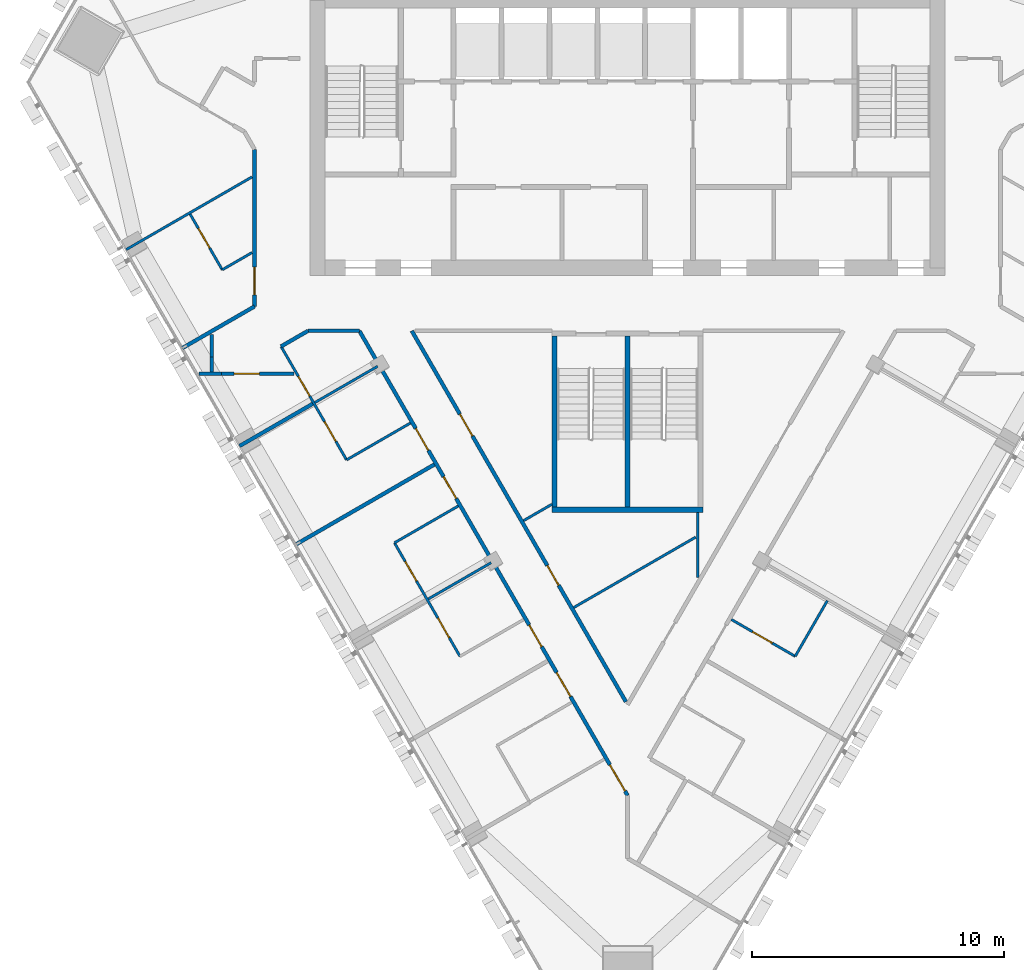
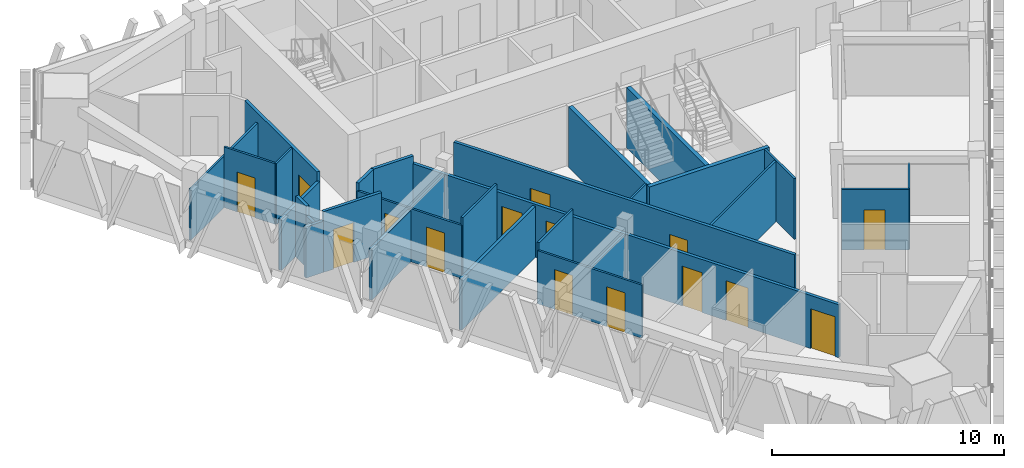
# One storey, part 8 of 15: 29 walls, 15 doors, 15 openings.
"""IFC4 building model written with IfcOpenShell, lengths in metres."""

from ifc_helpers import new_model, si_unit, direction, frame, frame_2d, origin, place, context, subcontext, project, spatial, rectangle, extrude, material, layer, layer_set, type_object, element, fill, save


model = new_model("IFC4")

# Units and contexts
model_context = context("Model", 3, precision=1e-05, world=origin(), true_north=direction((0.0, 1.0)))
body_context = subcontext(model_context, "Body", "Model", "MODEL_VIEW")
ifc_project = project(units=[si_unit("LENGTHUNIT", "METRE"), si_unit("AREAUNIT", "SQUARE_METRE"), si_unit("VOLUMEUNIT", "CUBIC_METRE"), si_unit("PLANEANGLEUNIT", "RADIAN"), si_unit("MASSUNIT", "GRAM", prefix="KILO")], contexts=[model_context])

# Site, building, storey
site_placement = place(None, origin())
site = spatial("IfcSite", under=ifc_project, at=site_placement, CompositionType="ELEMENT")
building_placement = place(site_placement, origin())
building = spatial("IfcBuilding", under=site, at=building_placement, Name="Altiplano Prism Tower", CompositionType="ELEMENT")
storey_placement = place(building_placement, frame((0.0, 0.0, 250.0)))
storey = spatial("IfcBuildingStorey", under=building, at=storey_placement, Name="L64", CompositionType="ELEMENT", Elevation=250.0)

# Wall
ifc_material_1 = material(Name="Plasterboard on steel stud", Category="steel")
ifc_layer_1 = layer(ifc_material_1, 0.10009765625)
ifc_layer_set_1 = layer_set([ifc_layer_1], Name="Plasterboard on steel stud")
wall_type_1 = type_object("IfcWallType", Name="Partition 100 unit", PredefinedType="PARTITIONING", material=ifc_layer_set_1)
wall_1_placement = place(storey_placement, frame((70.10009765625, 93.705078125, 0.0), z_axis=(0.0, 0.0, 1.0), x_axis=(-0.8660249478, -0.500000789788, 0.0)))
element("IfcWall", 1, at=wall_1_placement, inside=storey, type_object=wall_type_1, Name="Partition P02 L64 043", PredefinedType="PARTITIONING", context=body_context, shape_type="SweptSolid", body=[
    extrude(rectangle(XDim=1.36669921875, YDim=0.10009765625, at=frame_2d((0.683349609375, 0.0))), origin(), (0.0, 0.0, 1.0), 3.199951171875),
])

# Wall, opening, door
wall_2_placement = place(storey_placement, frame((68.91650390625, 93.021728515625, 0.0), z_axis=(0.0, 0.0, 1.0), x_axis=(-0.500020783669, 0.866013403995, 0.0)))
wall_2 = element("IfcWall", 2, at=wall_2_placement, inside=storey, type_object=wall_type_1, Name="Partition P02 L64 044", PredefinedType="PARTITIONING", context=body_context, shape_type="SweptSolid", body=[
    extrude(rectangle(XDim=2.55029296875, YDim=0.10009765625, at=frame_2d((1.275146484375, 0.0))), origin(), (0.0, 0.0, 1.0), 3.199951171875),
])
opening_1_placement = place(wall_2_placement, frame((0.99609375, 0.0, 0.0)))
opening_1 = element("IfcOpeningElement", 3, at=opening_1_placement, cuts=wall_2, Name="Opening D2086", PredefinedType="OPENING", context=body_context, shape_type="SweptSolid", body=[
    extrude(rectangle(XDim=0.89990234375, YDim=2.10009765625, at=frame_2d((0.449951171875, 1.050048828125))), frame((0.0, 0.060546875, 0.0), z_axis=(0.0, -1.0, 0.0), x_axis=(1.0, 0.0, 0.0)), (0.0, 0.0, 1.0), 0.12109375),
])
ifc_material_2 = material(Name="Timber", Category="wood")
door_type_1 = type_object("IfcDoorType", Name="Accessible ensuite door 900 x 2100", OperationType="NOTDEFINED", PredefinedType="NOTDEFINED", material=ifc_material_2)
door_1_placement = place(opening_1_placement, origin())
door_1 = element("IfcDoor", 4, at=door_1_placement, inside=storey, type_object=door_type_1, Name="Door D2086", OperationType="SINGLE_SWING_RIGHT", OverallHeight=2.10009765625, OverallWidth=0.89990234375, PredefinedType="NOTDEFINED", context=body_context, shape_type="SweptSolid", body=[
    extrude(rectangle(XDim=0.89990234375, YDim=2.10009765625, at=frame_2d((0.449951171875, 1.050048828125))), frame((0.0, 0.02490234375, 0.0), z_axis=(0.0, -1.0, 0.0), x_axis=(1.0, 0.0, 0.0)), (0.0, 0.0, 1.0), 0.050048828125),
])
fill(opening_1, door_1)

# Wall, openings, doors
wall_3_placement = place(storey_placement, frame((73.849365234375, 85.4775390625, 0.0), z_axis=(0.0, 0.0, 1.0), x_axis=(-0.499971721724, 0.866041729639, 0.0)))
wall_3 = element("IfcWall", 5, at=wall_3_placement, inside=storey, type_object=wall_type_1, Name="Partition P02 L64 046", PredefinedType="PARTITIONING", context=body_context, shape_type="SweptSolid", body=[
    extrude(rectangle(XDim=5.199951171875, YDim=0.10009765625, at=frame_2d((2.60009765625, 0.0))), origin(), (0.0, 0.0, 1.0), 2.800048828125),
])
opening_2_placement = place(wall_3_placement, frame((2.925048828125, 0.0, 0.0)))
opening_2 = element("IfcOpeningElement", 6, at=opening_2_placement, cuts=wall_3, Name="Opening D2088", PredefinedType="OPENING", context=body_context, shape_type="SweptSolid", body=[
    extrude(rectangle(XDim=0.89990234375, YDim=2.10009765625, at=frame_2d((0.449951171875, 1.050048828125))), frame((0.0, 0.060546875, 0.0), z_axis=(0.0, -1.0, 0.0), x_axis=(1.0, 0.0, 0.0)), (0.0, 0.0, 1.0), 0.12109375),
])
opening_3_placement = place(wall_3_placement, frame((0.85009765625, 0.0, 0.0)))
opening_3 = element("IfcOpeningElement", 7, at=opening_3_placement, cuts=wall_3, Name="Opening D2090", PredefinedType="OPENING", context=body_context, shape_type="SweptSolid", body=[
    extrude(rectangle(XDim=0.89990234375, YDim=2.10009765625, at=frame_2d((0.449951171875, 1.050048828125))), frame((0.0, 0.060546875, 0.0), z_axis=(0.0, -1.0, 0.0), x_axis=(1.0, 0.0, 0.0)), (0.0, 0.0, 1.0), 0.12109375),
])
door_type_2 = type_object("IfcDoorType", Name="Ensuite door 900 x 2100", OperationType="NOTDEFINED", PredefinedType="NOTDEFINED", material=ifc_material_2)
door_2_placement = place(opening_2_placement, origin())
door_2 = element("IfcDoor", 8, at=door_2_placement, inside=storey, type_object=door_type_2, Name="Door D2088", OperationType="SINGLE_SWING_LEFT", OverallHeight=2.10009765625, OverallWidth=0.89990234375, PredefinedType="NOTDEFINED", context=body_context, shape_type="SweptSolid", body=[
    extrude(rectangle(XDim=0.89990234375, YDim=2.10009765625, at=frame_2d((0.449951171875, 1.050048828125))), frame((0.0, 0.02490234375, 0.0), z_axis=(0.0, -1.0, 0.0), x_axis=(1.0, 0.0, 0.0)), (0.0, 0.0, 1.0), 0.050048828125),
])
fill(opening_2, door_2)
door_3_placement = place(opening_3_placement, origin())
door_3 = element("IfcDoor", 9, at=door_3_placement, inside=storey, type_object=door_type_2, Name="Door D2090", OperationType="SINGLE_SWING_RIGHT", OverallHeight=2.10009765625, OverallWidth=0.89990234375, PredefinedType="NOTDEFINED", context=body_context, shape_type="SweptSolid", body=[
    extrude(rectangle(XDim=0.89990234375, YDim=2.10009765625, at=frame_2d((0.449951171875, 1.050048828125))), frame((0.0, 0.02490234375, 0.0), z_axis=(0.0, -1.0, 0.0), x_axis=(1.0, 0.0, 0.0)), (0.0, 0.0, 1.0), 0.050048828125),
])
fill(opening_3, door_3)

# Wall
wall_4_placement = place(storey_placement, frame((76.382568359375, 86.940185546875, 0.0), z_axis=(0.0, 0.0, 1.0), x_axis=(-0.86601045545, -0.500025890382, 0.0)))
element("IfcWall", 10, at=wall_4_placement, inside=storey, type_object=wall_type_1, Name="Partition P02 L64 049", PredefinedType="PARTITIONING", context=body_context, shape_type="SweptSolid", body=[
    extrude(rectangle(XDim=2.925048828125, YDim=0.10009765625, at=frame_2d((1.46240234375, 0.0))), origin(), (0.0, 0.0, 1.0), 3.199951171875),
])

# Wall, openings, doors
wall_5_placement = place(storey_placement, frame((78.349365234375, 77.683349609375, 0.0), z_axis=(0.0, 0.0, 1.0), x_axis=(-0.499971721724, 0.866041729639, 0.0)))
wall_5 = element("IfcWall", 11, at=wall_5_placement, inside=storey, type_object=wall_type_1, Name="Partition P02 L64 051", PredefinedType="PARTITIONING", context=body_context, shape_type="SweptSolid", body=[
    extrude(rectangle(XDim=5.199951171875, YDim=0.10009765625, at=frame_2d((2.60009765625, 0.0))), origin(), (0.0, 0.0, 1.0), 2.800048828125),
])
opening_4_placement = place(wall_5_placement, frame((3.449951171875, 0.0, 0.0)))
opening_4 = element("IfcOpeningElement", 12, at=opening_4_placement, cuts=wall_5, Name="Opening D2092", PredefinedType="OPENING", context=body_context, shape_type="SweptSolid", body=[
    extrude(rectangle(XDim=0.89990234375, YDim=2.10009765625, at=frame_2d((0.449951171875, 1.050048828125))), frame((0.0, 0.060546875, 0.0), z_axis=(0.0, -1.0, 0.0), x_axis=(1.0, 0.0, 0.0)), (0.0, 0.0, 1.0), 0.12109375),
])
opening_5_placement = place(wall_5_placement, frame((0.85009765625, 0.0, 0.0)))
opening_5 = element("IfcOpeningElement", 13, at=opening_5_placement, cuts=wall_5, Name="Opening D2094", PredefinedType="OPENING", context=body_context, shape_type="SweptSolid", body=[
    extrude(rectangle(XDim=0.89990234375, YDim=2.10009765625, at=frame_2d((0.449951171875, 1.050048828125))), frame((0.0, 0.060546875, 0.0), z_axis=(0.0, -1.0, 0.0), x_axis=(1.0, 0.0, 0.0)), (0.0, 0.0, 1.0), 0.12109375),
])
door_4_placement = place(opening_4_placement, origin())
door_4 = element("IfcDoor", 14, at=door_4_placement, inside=storey, type_object=door_type_2, Name="Door D2092", OperationType="SINGLE_SWING_LEFT", OverallHeight=2.10009765625, OverallWidth=0.89990234375, PredefinedType="NOTDEFINED", context=body_context, shape_type="SweptSolid", body=[
    extrude(rectangle(XDim=0.89990234375, YDim=2.10009765625, at=frame_2d((0.449951171875, 1.050048828125))), frame((0.0, 0.02490234375, 0.0), z_axis=(0.0, -1.0, 0.0), x_axis=(1.0, 0.0, 0.0)), (0.0, 0.0, 1.0), 0.050048828125),
])
fill(opening_4, door_4)
door_5_placement = place(opening_5_placement, origin())
door_5 = element("IfcDoor", 15, at=door_5_placement, inside=storey, type_object=door_type_2, Name="Door D2094", OperationType="SINGLE_SWING_RIGHT", OverallHeight=2.10009765625, OverallWidth=0.89990234375, PredefinedType="NOTDEFINED", context=body_context, shape_type="SweptSolid", body=[
    extrude(rectangle(XDim=0.89990234375, YDim=2.10009765625, at=frame_2d((0.449951171875, 1.050048828125))), frame((0.0, 0.02490234375, 0.0), z_axis=(0.0, -1.0, 0.0), x_axis=(1.0, 0.0, 0.0)), (0.0, 0.0, 1.0), 0.050048828125),
])
fill(opening_5, door_5)

# Walls
wall_6_placement = place(storey_placement, frame((75.74951171875, 82.186767578125, 0.0), z_axis=(0.0, 0.0, 1.0), x_axis=(0.866046596414, 0.499963291492, 0.0)))
element("IfcWall", 16, at=wall_6_placement, inside=storey, type_object=wall_type_1, Name="Partition P02 L64 052", PredefinedType="PARTITIONING", context=body_context, shape_type="SweptSolid", body=[
    extrude(rectangle(XDim=2.925048828125, YDim=0.10009765625, at=frame_2d((1.46240234375, 0.0))), origin(), (0.0, 0.0, 1.0), 3.199951171875),
])
wall_7_placement = place(storey_placement, frame((92.925537109375, 79.891845703125, 0.0), z_axis=(0.0, 0.0, 1.0), x_axis=(-0.499948979701, -0.866054858364, 0.0)))
element("IfcWall", 17, at=wall_7_placement, inside=storey, type_object=wall_type_1, Name="Partition P02 L64 067", PredefinedType="PARTITIONING", context=body_context, shape_type="SweptSolid", body=[
    extrude(rectangle(XDim=2.550048828125, YDim=0.10009765625, at=frame_2d((1.27490234375, 0.0))), origin(), (0.0, 0.0, 1.0), 2.800048828125),
])

# Wall, opening, door
wall_8_placement = place(storey_placement, frame((91.650634765625, 77.683349609375, 0.0), z_axis=(0.0, 0.0, 1.0), x_axis=(-0.86601045545, 0.500025890382, 0.0)))
wall_8 = element("IfcWall", 18, at=wall_8_placement, inside=storey, type_object=wall_type_1, Name="Partition P02 L64 068", PredefinedType="PARTITIONING", context=body_context, shape_type="SweptSolid", body=[
    extrude(rectangle(XDim=2.925048828125, YDim=0.10009765625, at=frame_2d((1.46240234375, 0.0))), origin(), (0.0, 0.0, 1.0), 3.199951171875),
])
opening_6_placement = place(wall_8_placement, frame((1.050048828125, 0.0, 0.0)))
opening_6 = element("IfcOpeningElement", 19, at=opening_6_placement, cuts=wall_8, Name="Opening D2102", PredefinedType="OPENING", context=body_context, shape_type="SweptSolid", body=[
    extrude(rectangle(XDim=0.89990234375, YDim=2.10009765625, at=frame_2d((0.449951171875, 1.050048828125))), frame((0.0, 0.060546875, 0.0), z_axis=(0.0, -1.0, 0.0), x_axis=(1.0, 0.0, 0.0)), (0.0, 0.0, 1.0), 0.12109375),
])
door_6_placement = place(opening_6_placement, origin())
door_6 = element("IfcDoor", 20, at=door_6_placement, inside=storey, type_object=door_type_2, Name="Door D2102", OperationType="SINGLE_SWING_LEFT", OverallHeight=2.10009765625, OverallWidth=0.89990234375, PredefinedType="NOTDEFINED", context=body_context, shape_type="SweptSolid", body=[
    extrude(rectangle(XDim=0.89990234375, YDim=2.10009765625, at=frame_2d((0.449951171875, 1.050048828125))), frame((0.0, 0.02490234375, 0.0), z_axis=(0.0, -1.0, 0.0), x_axis=(1.0, 0.0, 0.0)), (0.0, 0.0, 1.0), 0.050048828125),
])
fill(opening_6, door_6)

# Walls
ifc_layer_2 = layer(ifc_material_1, 0.10009765625)
ifc_layer_set_2 = layer_set([ifc_layer_2], Name="Plasterboard on steel stud")
wall_type_2 = type_object("IfcWallType", Name="Partition 100 wet", PredefinedType="PARTITIONING", material=ifc_layer_set_2)
wall_9_placement = place(storey_placement, frame((87.70263671875, 82.413818359375, 0.0), z_axis=(0.0, 0.0, 1.0), x_axis=(-0.866027745044, -0.499995944798, 0.0)))
element("IfcWall", 21, at=wall_9_placement, inside=storey, type_object=wall_type_2, Name="Partition P03 L64 037", PredefinedType="PARTITIONING", context=body_context, shape_type="SweptSolid", body=[
    extrude(rectangle(XDim=5.58935546875, YDim=0.10009765625, at=frame_2d((2.794677734375, 0.0))), origin(), (0.0, 0.0, 1.0), 3.199951171875),
])
wall_10_placement = place(storey_placement, frame((87.777587890625, 80.81396484375, 0.0), z_axis=(0.0, 0.0, 1.0), x_axis=(0.0, 1.0, 0.0)))
element("IfcWall", 22, at=wall_10_placement, inside=storey, type_object=wall_type_2, Name="Partition P03 L64 038", PredefinedType="PARTITIONING", context=body_context, shape_type="SweptSolid", body=[
    extrude(rectangle(XDim=2.5859375, YDim=0.10009765625, at=frame_2d((1.29296875, 0.0))), origin(), (0.0, 0.0, 1.0), 3.199951171875),
])
wall_11_placement = place(storey_placement, frame((82.0, 83.718017578125, 0.0), z_axis=(0.0, 0.0, 1.0), x_axis=(-0.866020177134, -0.500009052715, 0.0)))
element("IfcWall", 23, at=wall_11_placement, inside=storey, type_object=wall_type_2, Name="Partition P03 L64 039", PredefinedType="PARTITIONING", context=body_context, shape_type="SweptSolid", body=[
    extrude(rectangle(XDim=1.302734375, YDim=0.10009765625, at=frame_2d((0.6513671875, 0.0))), origin(), (0.0, 0.0, 1.0), 3.199951171875),
])
wall_12_placement = place(storey_placement, frame((65.10498046875, 93.823486328125, 0.0), z_axis=(0.0, 0.0, 1.0), x_axis=(0.866036153491, 0.4999813805, 0.0)))
element("IfcWall", 24, at=wall_12_placement, inside=storey, type_object=wall_type_2, Name="Partition P03 L64 040", PredefinedType="PARTITIONING", context=body_context, shape_type="SweptSolid", body=[
    extrude(rectangle(XDim=5.767822265625, YDim=0.10009765625, at=frame_2d((2.8837890625, 0.0))), origin(), (0.0, 0.0, 1.0), 2.699951171875),
])
for number, where, z_axis, x_axis, name in (
    (25, (72.5927734375, 87.75439453125, 0.0), (0.0, 0.0, 1.0), (0.866018712932, 0.500011588718, 0.0), "Partition P03 L64 048"),
    (26, (77.0927734375, 79.9599609375, 0.0), (0.0, 0.0, 1.0), (0.866018712932, 0.500011588718, 0.0), "Partition P03 L64 054"),
):
    element("IfcWall", number, at=place(storey_placement, frame(where, z_axis=z_axis, x_axis=x_axis)), inside=storey, type_object=wall_type_2, Name=name, PredefinedType="PARTITIONING", context=body_context, shape_type="SweptSolid", body=[
        extrude(rectangle(XDim=2.875, YDim=0.10009765625, at=frame_2d((1.4375, 0.0))), origin(), (0.0, 0.0, 1.0), 2.800048828125),
    ])

# Wall, openings, doors
ifc_layer_3 = layer(ifc_material_1, 0.14990234375)
ifc_layer_set_3 = layer_set([ifc_layer_3], Name="Plasterboard on steel stud")
wall_type_3 = type_object("IfcWallType", Name="Partition 150 corridor", PredefinedType="PARTITIONING", material=ifc_layer_set_3)
wall_13_placement = place(storey_placement, frame((84.93505859375, 75.87890625, 0.0), z_axis=(0.0, 0.0, 1.0), x_axis=(-0.500002616312, 0.86602389325, 0.0)))
wall_13 = element("IfcWall", 27, at=wall_13_placement, inside=storey, type_object=wall_type_3, Name="Partition P06 L64 001", PredefinedType="PARTITIONING", context=body_context, shape_type="SweptSolid", body=[
    extrude(rectangle(XDim=16.99755859375, YDim=0.14990234375, at=frame_2d((8.498779296875, 0.0))), origin(), (0.0, 0.0, 1.0), 3.199951171875),
])
opening_7_placement = place(wall_13_placement, frame((5.340087890625, 0.0, 0.0)))
opening_7 = element("IfcOpeningElement", 28, at=opening_7_placement, cuts=wall_13, Name="Opening D2081", PredefinedType="OPENING", context=body_context, shape_type="SweptSolid", body=[
    extrude(rectangle(XDim=0.89990234375, YDim=2.10009765625, at=frame_2d((0.449951171875, 1.050048828125))), frame((0.0, 0.08544921875, 0.0), z_axis=(0.0, -1.0, 0.0), x_axis=(1.0, 0.0, 0.0)), (0.0, 0.0, 1.0), 0.1708984375),
])
opening_8_placement = place(wall_13_placement, frame((12.180908203125, 0.0, 0.0)))
opening_8 = element("IfcOpeningElement", 29, at=opening_8_placement, cuts=wall_13, Name="Opening D2082", PredefinedType="OPENING", context=body_context, shape_type="SweptSolid", body=[
    extrude(rectangle(XDim=1.0, YDim=2.10009765625, at=frame_2d((0.5, 1.050048828125))), frame((0.0, 0.08544921875, 0.0), z_axis=(0.0, -1.0, 0.0), x_axis=(1.0, 0.0, 0.0)), (0.0, 0.0, 1.0), 0.1708984375),
])
door_type_3 = type_object("IfcDoorType", Name="Store door 1000 x 2100", OperationType="NOTDEFINED", PredefinedType="NOTDEFINED", material=ifc_material_2)
door_7_placement = place(opening_8_placement, origin())
door_7 = element("IfcDoor", 30, at=door_7_placement, inside=storey, type_object=door_type_3, Name="Door D2082", OperationType="SINGLE_SWING_LEFT", OverallHeight=2.10009765625, OverallWidth=1.0, PredefinedType="NOTDEFINED", context=body_context, shape_type="SweptSolid", body=[
    extrude(rectangle(XDim=1.0, YDim=2.10009765625, at=frame_2d((0.5, 1.050048828125))), frame((0.0, 0.02490234375, 0.0), z_axis=(0.0, -1.0, 0.0), x_axis=(1.0, 0.0, 0.0)), (0.0, 0.0, 1.0), 0.050048828125),
])
fill(opening_8, door_7)
door_type_4 = type_object("IfcDoorType", Name="Toilet door 900 x 2100", OperationType="NOTDEFINED", PredefinedType="NOTDEFINED", material=ifc_material_2)
door_8_placement = place(opening_7_placement, origin())
door_8 = element("IfcDoor", 31, at=door_8_placement, inside=storey, type_object=door_type_4, Name="Door D2081", OperationType="SINGLE_SWING_RIGHT", OverallHeight=2.10009765625, OverallWidth=0.89990234375, PredefinedType="NOTDEFINED", context=body_context, shape_type="SweptSolid", body=[
    extrude(rectangle(XDim=0.89990234375, YDim=2.10009765625, at=frame_2d((0.449951171875, 1.050048828125))), frame((0.0, 0.02490234375, 0.0), z_axis=(0.0, -1.0, 0.0), x_axis=(1.0, 0.0, 0.0)), (0.0, 0.0, 1.0), 0.050048828125),
])
fill(opening_7, door_8)

# Wall, opening, door
wall_14_placement = place(storey_placement, frame((70.199951171875, 97.798583984375, 0.0), z_axis=(0.0, 0.0, 1.0), x_axis=(0.0, -1.0, 0.0)))
wall_14 = element("IfcWall", 32, at=wall_14_placement, inside=storey, type_object=wall_type_3, Name="Partition P06 L64 007", PredefinedType="PARTITIONING", context=body_context, shape_type="SweptSolid", body=[
    extrude(rectangle(XDim=6.229736328125, YDim=0.14990234375, at=frame_2d((3.11474609375, 0.0))), origin(), (0.0, 0.0, 1.0), 3.199951171875),
])
opening_9_placement = place(wall_14_placement, frame((4.66796875, 0.0, 0.0)))
opening_9 = element("IfcOpeningElement", 33, at=opening_9_placement, cuts=wall_14, Name="Opening D2085", PredefinedType="OPENING", context=body_context, shape_type="SweptSolid", body=[
    extrude(rectangle(XDim=1.10009765625, YDim=2.10009765625, at=frame_2d((0.550048828125, 1.050048828125))), frame((0.0, 0.08544921875, 0.0), z_axis=(0.0, -1.0, 0.0), x_axis=(1.0, 0.0, 0.0)), (0.0, 0.0, 1.0), 0.1708984375),
])
door_type_5 = type_object("IfcDoorType", Name="Accessible bedroom door 1100 x 2100", OperationType="NOTDEFINED", PredefinedType="NOTDEFINED", material=ifc_material_2)
door_9_placement = place(opening_9_placement, origin())
door_9 = element("IfcDoor", 34, at=door_9_placement, inside=storey, type_object=door_type_5, Name="Door D2085", OperationType="SINGLE_SWING_RIGHT", OverallHeight=2.10009765625, OverallWidth=1.10009765625, PredefinedType="NOTDEFINED", context=body_context, shape_type="SweptSolid", body=[
    extrude(rectangle(XDim=1.10009765625, YDim=2.10009765625, at=frame_2d((0.550048828125, 1.050048828125))), frame((0.0, 0.02490234375, 0.0), z_axis=(0.0, -1.0, 0.0), x_axis=(1.0, 0.0, 0.0)), (0.0, 0.0, 1.0), 0.050048828125),
])
fill(opening_9, door_9)

# Walls
wall_15_placement = place(storey_placement, frame((68.5, 90.45751953125, 0.0), z_axis=(0.0, 0.0, 1.0), x_axis=(0.0, -1.0, 0.0)))
element("IfcWall", 35, at=wall_15_placement, inside=storey, type_object=wall_type_3, Name="Partition P06 L64 008", PredefinedType="PARTITIONING", context=body_context, shape_type="SweptSolid", body=[
    extrude(rectangle(XDim=0.897216796875, YDim=0.14990234375, at=frame_2d((0.44873046875, 0.0))), origin(), (0.0, 0.0, 1.0), 3.199951171875),
])
wall_16_placement = place(storey_placement, frame((68.5, 89.560302734375, 0.0), z_axis=(0.0, 0.0, 1.0), x_axis=(0.0, -1.0, 0.0)))
element("IfcWall", 36, at=wall_16_placement, inside=storey, type_object=wall_type_3, Name="Partition P06 L64 009", PredefinedType="PARTITIONING", context=body_context, shape_type="SweptSolid", body=[
    extrude(rectangle(XDim=0.58544921875, YDim=0.14990234375, at=frame_2d((0.292724609375, 0.0))), origin(), (0.0, 0.0, 1.0), 2.699951171875),
])
wall_17_placement = place(storey_placement, frame((68.00146484375, 88.89990234375, 0.0), z_axis=(0.0, 0.0, 1.0), x_axis=(1.0, 0.0, 0.0)))
element("IfcWall", 37, at=wall_17_placement, inside=storey, type_object=wall_type_3, Name="Partition P06 L64 010", PredefinedType="PARTITIONING", context=body_context, shape_type="SweptSolid", body=[
    extrude(rectangle(XDim=0.879638671875, YDim=0.14990234375, at=frame_2d((0.43994140625, 0.0))), origin(), (0.0, 0.0, 1.0), 2.699951171875),
])

# Wall, opening, door
wall_18_placement = place(storey_placement, frame((68.881103515625, 88.89990234375, 0.0), z_axis=(0.0, 0.0, 1.0), x_axis=(1.0, 0.0, 0.0)))
wall_18 = element("IfcWall", 38, at=wall_18_placement, inside=storey, type_object=wall_type_3, Name="Partition P06 L64 011", PredefinedType="PARTITIONING", context=body_context, shape_type="SweptSolid", body=[
    extrude(rectangle(XDim=2.891357421875, YDim=0.14990234375, at=frame_2d((1.44580078125, 0.0))), origin(), (0.0, 0.0, 1.0), 3.199951171875),
])
opening_10_placement = place(wall_18_placement, frame((0.5048828125, 0.0, 0.0)))
opening_10 = element("IfcOpeningElement", 39, at=opening_10_placement, cuts=wall_18, Name="Opening D2087", PredefinedType="OPENING", context=body_context, shape_type="SweptSolid", body=[
    extrude(rectangle(XDim=1.0, YDim=2.10009765625, at=frame_2d((0.5, 1.050048828125))), frame((0.0, 0.08544921875, 0.0), z_axis=(0.0, -1.0, 0.0), x_axis=(1.0, 0.0, 0.0)), (0.0, 0.0, 1.0), 0.1708984375),
])
door_type_6 = type_object("IfcDoorType", Name="Bedroom entrance door 1000 x 2100", OperationType="NOTDEFINED", PredefinedType="NOTDEFINED", material=ifc_material_2)
door_10_placement = place(opening_10_placement, origin())
door_10 = element("IfcDoor", 40, at=door_10_placement, inside=storey, type_object=door_type_6, Name="Door D2087", OperationType="SINGLE_SWING_LEFT", OverallHeight=2.10009765625, OverallWidth=1.0, PredefinedType="NOTDEFINED", context=body_context, shape_type="SweptSolid", body=[
    extrude(rectangle(XDim=1.0, YDim=2.10009765625, at=frame_2d((0.5, 1.050048828125))), frame((0.0, 0.02490234375, 0.0), z_axis=(0.0, -1.0, 0.0), x_axis=(1.0, 0.0, 0.0)), (0.0, 0.0, 1.0), 0.050048828125),
])
fill(opening_10, door_10)

# Walls
wall_19_placement = place(storey_placement, frame((71.24951171875, 89.98095703125, 0.0), z_axis=(0.0, 0.0, 1.0), x_axis=(0.866001699761, 0.500041054325, 0.0)))
element("IfcWall", 41, at=wall_19_placement, inside=storey, type_object=wall_type_3, Name="Partition P06 L64 012", PredefinedType="PARTITIONING", context=body_context, shape_type="SweptSolid", body=[
    extrude(rectangle(XDim=1.23828125, YDim=0.14990234375, at=frame_2d((0.619140625, 0.0))), origin(), (0.0, 0.0, 1.0), 3.199951171875),
])
wall_20_placement = place(storey_placement, frame((72.32177734375, 90.60009765625, 0.0), z_axis=(0.0, 0.0, 1.0), x_axis=(1.0, 0.0, 0.0)))
element("IfcWall", 42, at=wall_20_placement, inside=storey, type_object=wall_type_3, Name="Partition P06 L64 013", PredefinedType="PARTITIONING", context=body_context, shape_type="SweptSolid", body=[
    extrude(rectangle(XDim=2.034423828125, YDim=0.14990234375, at=frame_2d((1.01708984375, 0.0))), origin(), (0.0, 0.0, 1.0), 3.199951171875),
])

# Wall, openings, doors
wall_21_placement = place(storey_placement, frame((74.356201171875, 90.60009765625, 0.0), z_axis=(0.0, 0.0, 1.0), x_axis=(0.4999961218, -0.866027642853, 0.0)))
wall_21 = element("IfcWall", 43, at=wall_21_placement, inside=storey, type_object=wall_type_3, Name="Partition P06 L64 014", PredefinedType="PARTITIONING", context=body_context, shape_type="SweptSolid", body=[
    extrude(rectangle(XDim=21.287841796875, YDim=0.14990234375, at=frame_2d((10.64404296875, 0.0))), origin(), (0.0, 0.0, 1.0), 2.800048828125),
])
opening_11_placement = place(wall_21_placement, frame((4.47802734375, 0.0, 0.0)))
opening_11 = element("IfcOpeningElement", 44, at=opening_11_placement, cuts=wall_21, Name="Opening D2089", PredefinedType="OPENING", context=body_context, shape_type="SweptSolid", body=[
    extrude(rectangle(XDim=1.0, YDim=2.10009765625, at=frame_2d((0.5, 1.050048828125))), frame((0.0, 0.08544921875, 0.0), z_axis=(0.0, -1.0, 0.0), x_axis=(1.0, 0.0, 0.0)), (0.0, 0.0, 1.0), 0.1708984375),
])
opening_12_placement = place(wall_21_placement, frame((6.68701171875, 0.0, 0.0)))
opening_12 = element("IfcOpeningElement", 45, at=opening_12_placement, cuts=wall_21, Name="Opening D2091", PredefinedType="OPENING", context=body_context, shape_type="SweptSolid", body=[
    extrude(rectangle(XDim=1.0, YDim=2.10009765625, at=frame_2d((0.5, 1.050048828125))), frame((0.0, 0.08544921875, 0.0), z_axis=(0.0, -1.0, 0.0), x_axis=(1.0, 0.0, 0.0)), (0.0, 0.0, 1.0), 0.1708984375),
])
opening_13_placement = place(wall_21_placement, frame((13.47802734375, 0.0, 0.0)))
opening_13 = element("IfcOpeningElement", 46, at=opening_13_placement, cuts=wall_21, Name="Opening D2093", PredefinedType="OPENING", context=body_context, shape_type="SweptSolid", body=[
    extrude(rectangle(XDim=1.0, YDim=2.10009765625, at=frame_2d((0.5, 1.050048828125))), frame((0.0, 0.08544921875, 0.0), z_axis=(0.0, -1.0, 0.0), x_axis=(1.0, 0.0, 0.0)), (0.0, 0.0, 1.0), 0.1708984375),
])
opening_14_placement = place(wall_21_placement, frame((15.654052734375, 0.0, 0.0)))
opening_14 = element("IfcOpeningElement", 47, at=opening_14_placement, cuts=wall_21, Name="Opening D2095", PredefinedType="OPENING", context=body_context, shape_type="SweptSolid", body=[
    extrude(rectangle(XDim=1.10009765625, YDim=2.10009765625, at=frame_2d((0.550048828125, 1.050048828125))), frame((0.0, 0.08544921875, 0.0), z_axis=(0.0, -1.0, 0.0), x_axis=(1.0, 0.0, 0.0)), (0.0, 0.0, 1.0), 0.1708984375),
])
opening_15_placement = place(wall_21_placement, frame((19.887939453125, 0.0, 0.0)))
opening_15 = element("IfcOpeningElement", 48, at=opening_15_placement, cuts=wall_21, Name="Opening D2097", PredefinedType="OPENING", context=body_context, shape_type="SweptSolid", body=[
    extrude(rectangle(XDim=1.199951171875, YDim=2.10009765625, at=frame_2d((0.60009765625, 1.050048828125))), frame((0.0, 0.08544921875, 0.0), z_axis=(0.0, -1.0, 0.0), x_axis=(1.0, 0.0, 0.0)), (0.0, 0.0, 1.0), 0.1708984375),
])
door_11_placement = place(opening_14_placement, origin())
door_11 = element("IfcDoor", 49, at=door_11_placement, inside=storey, type_object=door_type_5, Name="Door D2095", OperationType="SINGLE_SWING_LEFT", OverallHeight=2.10009765625, OverallWidth=1.10009765625, PredefinedType="NOTDEFINED", context=body_context, shape_type="SweptSolid", body=[
    extrude(rectangle(XDim=1.10009765625, YDim=2.10009765625, at=frame_2d((0.550048828125, 1.050048828125))), frame((0.0, 0.02490234375, 0.0), z_axis=(0.0, -1.0, 0.0), x_axis=(1.0, 0.0, 0.0)), (0.0, 0.0, 1.0), 0.050048828125),
])
fill(opening_14, door_11)
door_12_placement = place(opening_11_placement, origin())
door_12 = element("IfcDoor", 50, at=door_12_placement, inside=storey, type_object=door_type_6, Name="Door D2089", OperationType="SINGLE_SWING_LEFT", OverallHeight=2.10009765625, OverallWidth=1.0, PredefinedType="NOTDEFINED", context=body_context, shape_type="SweptSolid", body=[
    extrude(rectangle(XDim=1.0, YDim=2.10009765625, at=frame_2d((0.5, 1.050048828125))), frame((0.0, 0.02490234375, 0.0), z_axis=(0.0, -1.0, 0.0), x_axis=(1.0, 0.0, 0.0)), (0.0, 0.0, 1.0), 0.050048828125),
])
fill(opening_11, door_12)
door_13_placement = place(opening_12_placement, origin())
door_13 = element("IfcDoor", 51, at=door_13_placement, inside=storey, type_object=door_type_6, Name="Door D2091", OperationType="SINGLE_SWING_RIGHT", OverallHeight=2.10009765625, OverallWidth=1.0, PredefinedType="NOTDEFINED", context=body_context, shape_type="SweptSolid", body=[
    extrude(rectangle(XDim=1.0, YDim=2.10009765625, at=frame_2d((0.5, 1.050048828125))), frame((0.0, 0.02490234375, 0.0), z_axis=(0.0, -1.0, 0.0), x_axis=(1.0, 0.0, 0.0)), (0.0, 0.0, 1.0), 0.050048828125),
])
fill(opening_12, door_13)
door_14_placement = place(opening_13_placement, origin())
door_14 = element("IfcDoor", 52, at=door_14_placement, inside=storey, type_object=door_type_6, Name="Door D2093", OperationType="SINGLE_SWING_LEFT", OverallHeight=2.10009765625, OverallWidth=1.0, PredefinedType="NOTDEFINED", context=body_context, shape_type="SweptSolid", body=[
    extrude(rectangle(XDim=1.0, YDim=2.10009765625, at=frame_2d((0.5, 1.050048828125))), frame((0.0, 0.02490234375, 0.0), z_axis=(0.0, -1.0, 0.0), x_axis=(1.0, 0.0, 0.0)), (0.0, 0.0, 1.0), 0.050048828125),
])
fill(opening_13, door_14)
door_type_7 = type_object("IfcDoorType", Name="Shared room door 1200 x 2100", OperationType="NOTDEFINED", PredefinedType="NOTDEFINED", material=ifc_material_2)
door_15_placement = place(opening_15_placement, origin())
door_15 = element("IfcDoor", 53, at=door_15_placement, inside=storey, type_object=door_type_7, Name="Door D2097", OperationType="SINGLE_SWING_RIGHT", OverallHeight=2.10009765625, OverallWidth=1.199951171875, PredefinedType="NOTDEFINED", context=body_context, shape_type="SweptSolid", body=[
    extrude(rectangle(XDim=1.199951171875, YDim=2.10009765625, at=frame_2d((0.60009765625, 1.050048828125))), frame((0.0, 0.02490234375, 0.0), z_axis=(0.0, -1.0, 0.0), x_axis=(1.0, 0.0, 0.0)), (0.0, 0.0, 1.0), 0.050048828125),
])
fill(opening_15, door_15)

# Walls
wall_22_placement = place(storey_placement, frame((67.33740234375, 89.916259765625, 0.0), z_axis=(0.0, 0.0, 1.0), x_axis=(0.866039217307, 0.499976073514, 0.0)))
element("IfcWall", 54, at=wall_22_placement, inside=storey, type_object=wall_type_3, Name="Partition P06 L64 045", PredefinedType="PARTITIONING", context=body_context, shape_type="SweptSolid", body=[
    extrude(rectangle(XDim=3.305419921875, YDim=0.14990234375, at=frame_2d((1.65283203125, 0.0))), origin(), (0.0, 0.0, 1.0), 2.699951171875),
])
ifc_layer_4 = layer(ifc_material_1, 0.14990234375)
ifc_layer_set_4 = layer_set([ifc_layer_4], Name="Plasterboard on steel stud")
wall_type_4 = type_object("IfcWallType", Name="Partition 150 party", PredefinedType="PARTITIONING", material=ifc_layer_set_4)
wall_23_placement = place(storey_placement, frame((69.60498046875, 86.029296875, 0.0), z_axis=(0.0, 0.0, 1.0), x_axis=(0.866014461049, 0.500018952895, 0.0)))
element("IfcWall", 55, at=wall_23_placement, inside=storey, type_object=wall_type_4, Name="Partition P01 L64 047", PredefinedType="PARTITIONING", context=body_context, shape_type="SweptSolid", body=[
    extrude(rectangle(XDim=3.349853515625, YDim=0.14990234375, at=frame_2d((1.6748046875, 0.0))), origin(), (0.0, 0.0, 1.0), 2.699951171875),
])
wall_24_placement = place(storey_placement, frame((71.83740234375, 82.1220703125, 0.0), z_axis=(0.0, 0.0, 1.0), x_axis=(0.866025401434, 0.500000004071, 0.0)))
element("IfcWall", 56, at=wall_24_placement, inside=storey, type_object=wall_type_4, Name="Partition P01 L64 050", PredefinedType="PARTITIONING", context=body_context, shape_type="SweptSolid", body=[
    extrude(rectangle(XDim=6.34521484375, YDim=0.14990234375, at=frame_2d((3.172607421875, 0.0))), origin(), (0.0, 0.0, 1.0), 2.699951171875),
])
ifc_material_3 = material(Name="Concrete C60/75", Category="concrete")
ifc_layer_5 = layer(ifc_material_3, 0.199951171875)
ifc_layer_set_5 = layer_set([ifc_layer_5], Name="Concrete C60/75")
wall_type_5 = type_object("IfcWallType", Name="Stair wall 200", PredefinedType="SOLIDWALL", material=ifc_layer_set_5)
wall_25_placement = place(storey_placement, frame((82.0, 83.5, 0.0), z_axis=(0.0, 0.0, 1.0), x_axis=(1.0, 0.0, 0.0)))
element("IfcWall", 57, at=wall_25_placement, inside=storey, type_object=wall_type_5, Name="Stair 3 wall south L64", PredefinedType="SOLIDWALL", context=body_context, shape_type="SweptSolid", body=[
    extrude(rectangle(XDim=6.0, YDim=0.199951171875, at=frame_2d((3.0, 0.0))), origin(), (0.0, 0.0, 1.0), 3.199951171875),
])
for number, where, z_axis, x_axis, name in (
    (58, (82.10009765625, 83.60009765625, 0.0), (0.0, 0.0, 1.0), (0.0, 1.0, 0.0), "Stair 3 wall west L64"),
    (59, (85.0, 83.60009765625, 0.0), (0.0, 0.0, 1.0), (0.0, 1.0, 0.0), "Stair 3 wall divider L64"),
):
    element("IfcWall", number, at=place(storey_placement, frame(where, z_axis=z_axis, x_axis=x_axis)), inside=storey, type_object=wall_type_5, Name=name, PredefinedType="SOLIDWALL", context=body_context, shape_type="SweptSolid", body=[
        extrude(rectangle(XDim=6.7998046875, YDim=0.199951171875, at=frame_2d((3.39990234375, 0.0))), origin(), (0.0, 0.0, 1.0), 3.199951171875),
    ])

save(model, "model.ifc")
